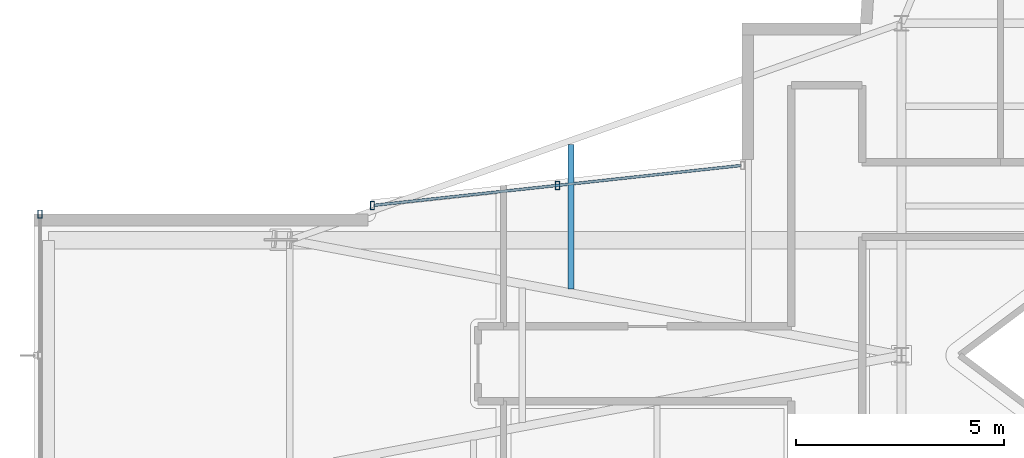
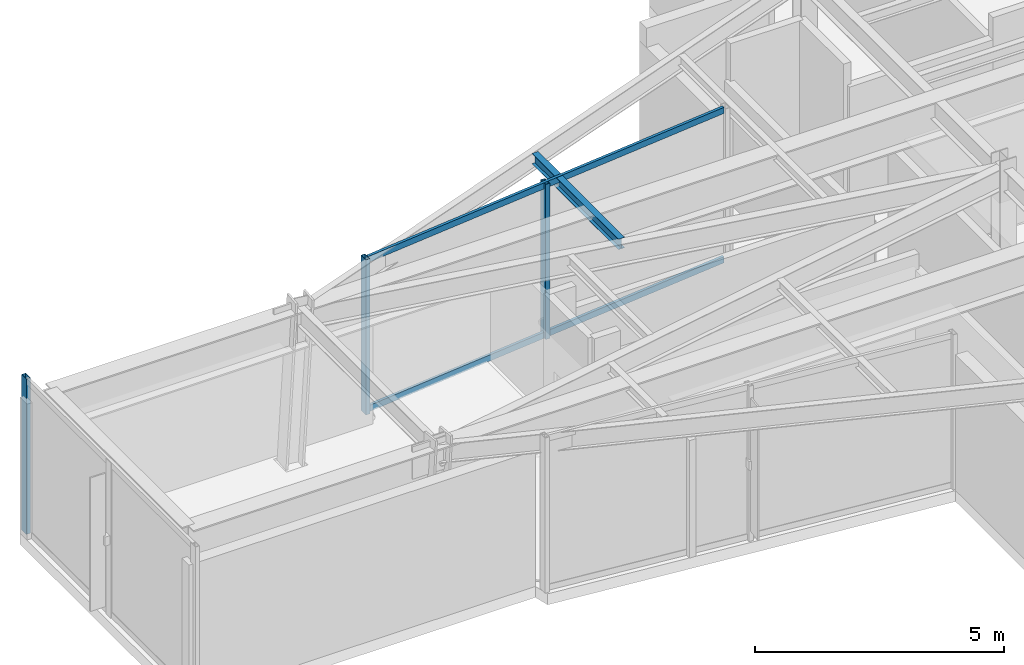
# One storey, part 5 of 18: 5 members, 1 beam, 2 elements without a shape of their own.
"""IFC4 building model written with IfcOpenShell, lengths in metres."""

from ifc_helpers import new_model, si_unit, direction, frame, origin, origin_2d, place, context, subcontext, project, spatial, hollow_rectangle, i_section, extrude, material, layer, layer_set, material_profile, profile_set, type_object, element, aggregate, save


model = new_model("IFC4")

# Units and contexts
model_context = context("Model", 3, precision=1e-05, world=origin(), true_north=direction((0.0, 1.0)))
body_context = subcontext(model_context, "Body", "Model", "MODEL_VIEW")
ifc_project = project(units=[si_unit("LENGTHUNIT", "METRE"), si_unit("AREAUNIT", "SQUARE_METRE"), si_unit("VOLUMEUNIT", "CUBIC_METRE"), si_unit("PLANEANGLEUNIT", "RADIAN"), si_unit("MASSUNIT", "GRAM", prefix="KILO")], contexts=[model_context])

# Site, building, storey
site_placement = place(None, origin())
site = spatial("IfcSite", under=ifc_project, at=site_placement, CompositionType="ELEMENT")
building_placement = place(site_placement, origin())
building = spatial("IfcBuilding", under=site, at=building_placement, Name="Veymaron Broadcast Tower", CompositionType="ELEMENT")
storey_placement = place(building_placement, frame((0.0, 0.0, 319.5)))
storey = spatial("IfcBuildingStorey", under=building, at=storey_placement, Name="L75", CompositionType="ELEMENT", Elevation=319.5)

# Beam
ifc_material_1 = material(Name="Structural steel ASTM A992 Gr 50", Category="steel")
ifc_material_profile_1 = material_profile(ifc_material_1, i_section(OverallWidth=0.14599609375, OverallDepth=0.258056640625, WebThickness=0.006103515625, FlangeThickness=0.009033203125, at=origin_2d()), Name="W250X33")
ifc_profile_set_1 = profile_set([ifc_material_profile_1], Name="Structural steel ASTM A992 Gr 50")
beam_type = type_object("IfcBeamType", Name="BM-JS4", PredefinedType="JOIST", material=ifc_profile_set_1)
beam_placement = place(storey_placement, frame((23.243896484375, 25.596923828125, 3.680908203125), z_axis=(0.0, 1.0, 0.0), x_axis=(-1.0, 0.0, 0.0)))
element("IfcBeam", 1, at=beam_placement, inside=storey, type_object=beam_type, Name="L75 Arm-A secondary joist 1N", PredefinedType="JOIST", context=body_context, shape_type="SweptSolid", body=[
    extrude(i_section(OverallWidth=0.14599609375, OverallDepth=0.258056640625, WebThickness=0.006103515625, FlangeThickness=0.009033203125, at=origin_2d()), origin(), (0.0, 0.0, 1.0), 3.47998046875),
])

# Curtain wall, members
ifc_material_2 = material(Name="Anodised aluminium AA 6063-T6 and laminated low-E dark glass", Category="aluminium")
ifc_layer = layer(ifc_material_2, 0.179931640625)
ifc_layer_set = layer_set([ifc_layer], Name="Anodised aluminium AA 6063-T6 and laminated low-E dark glass")
curtain_wall_type = type_object("IfcCurtainWallType", Name="CW-SYS-07", PredefinedType="NOTDEFINED", material=ifc_layer_set)
curtain_wall_1_placement = place(storey_placement, origin())
curtain_wall_1 = element("IfcCurtainWall", 2, at=curtain_wall_1_placement, inside=storey, type_object=curtain_wall_type, Name="L75 dark-glass curtain wall CW-L75-E19-1", PredefinedType="NOTDEFINED")
ifc_material_3 = material(Name="Anodised aluminium AA 6063-T6", Category="aluminium")
ifc_material_profile_2 = material_profile(ifc_material_3, hollow_rectangle(XDim=0.10009765625, YDim=0.199951171875, WallThickness=0.010009765625, at=origin_2d()), Name="RHS200X100X10")
ifc_profile_set_2 = profile_set([ifc_material_profile_2], Name="Anodised aluminium AA 6063-T6")
member_type_1 = type_object("IfcMemberType", Name="CW-MUL-01", PredefinedType="MULLION", material=ifc_profile_set_2)
member_1_placement = place(storey_placement, frame((22.914306640625, 28.0927734375, 0.0), z_axis=(0.0, 0.0, 1.0), x_axis=(1.0, 0.0, 0.0)))
member_1 = element("IfcMember", 3, at=member_1_placement, type_object=member_type_1, Name="CW-L75-E19-1 mullion 1", PredefinedType="MULLION", context=body_context, shape_type="SweptSolid", body=[
    extrude(hollow_rectangle(XDim=0.10009765625, YDim=0.199951171875, WallThickness=0.010009765625, at=origin_2d()), origin(), (0.0, 0.0, 1.0), 3.81005859375),
])
member_2_placement = place(storey_placement, frame((18.455078125, 27.609375, 0.0), z_axis=(0.0, 0.0, 1.0), x_axis=(1.0, 0.0, 0.0)))
member_2 = element("IfcMember", 4, at=member_2_placement, type_object=member_type_1, Name="CW-L75-E19-1 mullion 2", PredefinedType="MULLION", context=body_context, shape_type="SweptSolid", body=[
    extrude(hollow_rectangle(XDim=0.10009765625, YDim=0.199951171875, WallThickness=0.010009765625, at=origin_2d()), origin(), (0.0, 0.0, 1.0), 3.81005859375),
])

# Curtain wall, member
curtain_wall_2_placement = place(storey_placement, origin())
curtain_wall_2 = element("IfcCurtainWall", 5, at=curtain_wall_2_placement, inside=storey, type_object=curtain_wall_type, Name="L75 dark-glass curtain wall CW-L75-E22-1", PredefinedType="NOTDEFINED")
member_3_placement = place(storey_placement, frame((10.44873046875, 27.39990234375, 0.0), z_axis=(0.0, 0.0, 1.0), x_axis=(1.0, 0.0, 0.0)))
member_3 = element("IfcMember", 6, at=member_3_placement, type_object=member_type_1, Name="CW-L75-E22-1 mullion 0", PredefinedType="MULLION", context=body_context, shape_type="SweptSolid", body=[
    extrude(hollow_rectangle(XDim=0.10009765625, YDim=0.199951171875, WallThickness=0.010009765625, at=origin_2d()), origin(), (0.0, 0.0, 1.0), 3.81005859375),
])
aggregate(curtain_wall_2, [member_3])

# Member
ifc_material_profile_3 = material_profile(ifc_material_3, hollow_rectangle(XDim=0.06494140625, YDim=0.14990234375, WallThickness=0.00390625, at=origin_2d()), Name="AL150X65X4")
ifc_profile_set_3 = profile_set([ifc_material_profile_3], Name="Anodised aluminium AA 6063-T6")
member_type_2 = type_object("IfcMemberType", Name="CW-TRN-01", PredefinedType="USERDEFINED", material=ifc_profile_set_3)
member_4_placement = place(storey_placement, frame((27.32373046875, 28.57080078125, 0.070068359375), z_axis=(-0.994174890064, -0.107778884599, 0.0), x_axis=(0.107778884599, -0.994174890064, 0.0)))
member_4 = element("IfcMember", 7, at=member_4_placement, type_object=member_type_2, Name="CW-L75-E19-1 transom B", ObjectType="TRANSOM", PredefinedType="USERDEFINED", context=body_context, shape_type="SweptSolid", body=[
    extrude(hollow_rectangle(XDim=0.06494140625, YDim=0.14990234375, WallThickness=0.00390625, at=origin_2d()), origin(), (0.0, 0.0, 1.0), 8.87060546875),
])

member_5_placement = place(storey_placement, frame((27.32373046875, 28.57080078125, 3.739990234375), z_axis=(-0.994174890064, -0.107778884599, 0.0), x_axis=(0.107778884599, -0.994174890064, 0.0)))
member_5 = element("IfcMember", 8, at=member_5_placement, type_object=member_type_2, Name="CW-L75-E19-1 transom T", ObjectType="TRANSOM", PredefinedType="USERDEFINED", context=body_context, shape_type="SweptSolid", body=[
    extrude(hollow_rectangle(XDim=0.06494140625, YDim=0.14990234375, WallThickness=0.00390625, at=origin_2d()), origin(), (0.0, 0.0, 1.0), 8.87060546875),
])

aggregate(curtain_wall_1, [member_1, member_2, member_4, member_5])

save(model, "model.ifc")
